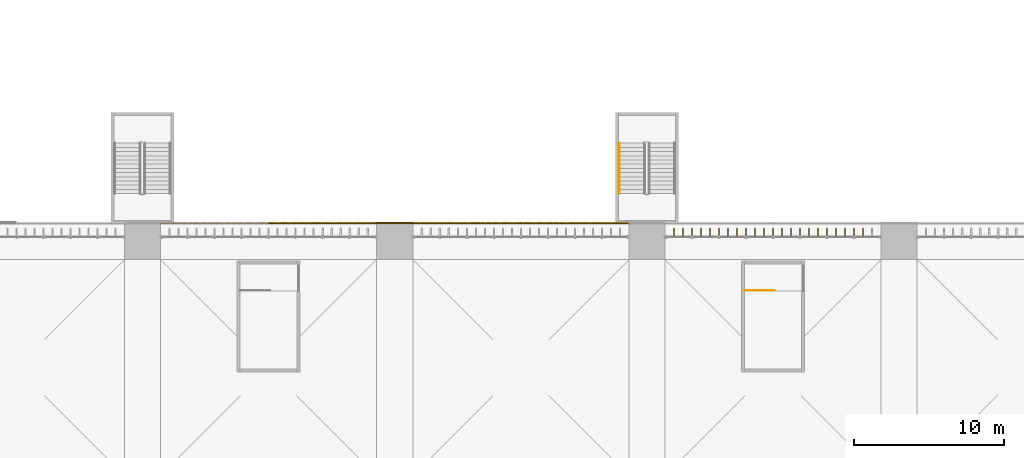
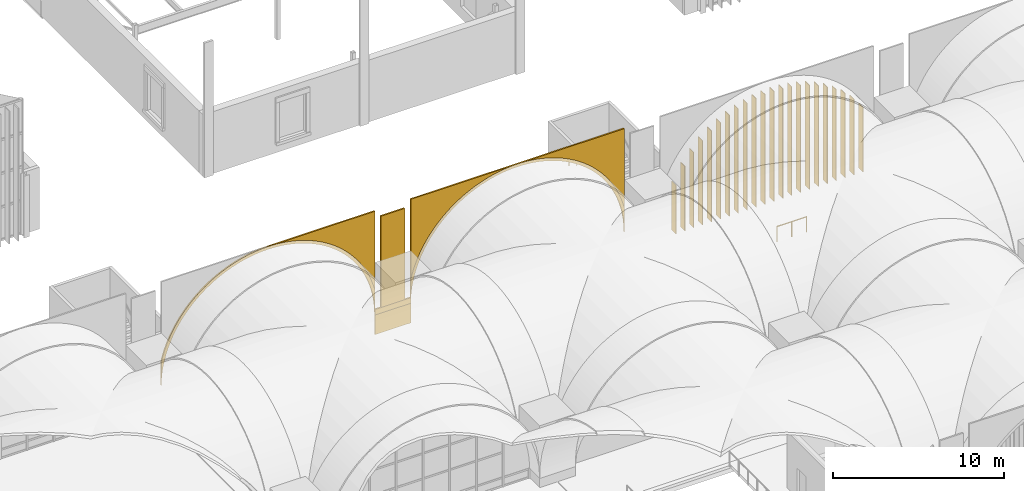
# One storey, part 158 of 169: 22 shading devices, 8 coverings, 2 railings.
"""IFC4 building model written with IfcOpenShell, lengths in metres."""

from ifc_helpers import new_model, si_unit, direction, frame, origin, origin_2d, place, context, subcontext, project, spatial, polyline, rectangle, circle, outline, extrude, material, layer, layer_set, type_object, element, save


model = new_model("IFC4")

# Units and contexts
model_context = context("Model", 3, precision=1e-05, world=origin(), true_north=direction((0.0, 1.0)))
body_context = subcontext(model_context, "Body", "Model", "MODEL_VIEW")
ifc_project = project(units=[si_unit("LENGTHUNIT", "METRE"), si_unit("AREAUNIT", "SQUARE_METRE"), si_unit("VOLUMEUNIT", "CUBIC_METRE"), si_unit("PLANEANGLEUNIT", "RADIAN"), si_unit("MASSUNIT", "GRAM", prefix="KILO")], contexts=[model_context])

# Site, building, storey
site_placement = place(None, origin())
site = spatial("IfcSite", under=ifc_project, at=site_placement, CompositionType="ELEMENT")
building_placement = place(site_placement, origin())
building = spatial("IfcBuilding", under=site, at=building_placement, Name="Verrick Yard Athletic Hall", CompositionType="ELEMENT")
storey_placement = place(building_placement, frame((0.0, 0.0, 4.39990234375)))
storey = spatial("IfcBuildingStorey", under=building, at=storey_placement, Name="L01", CompositionType="ELEMENT", Elevation=4.39990234375)

# Shading devices
ifc_material_1 = material(Name="Anodised aluminium", Category="aluminium")
ifc_layer_1 = layer(ifc_material_1, 0.0400390625)
ifc_layer_set_1 = layer_set([ifc_layer_1], Name="Arcade fin")
shading_device_type = type_object("IfcShadingDeviceType", Name="Arcade fin", PredefinedType="USERDEFINED", material=ifc_layer_set_1)
shading_device_1_placement = place(storey_placement, frame((109.0, 53.17626953125, 0.0), z_axis=(0.0, 0.0, 1.0), x_axis=(0.0, 1.0, 0.0)))
element("IfcShadingDevice", 1, at=shading_device_1_placement, inside=storey, type_object=shading_device_type, Name="Fin RN5.1", ObjectType="FIN", PredefinedType="USERDEFINED", context=body_context, shape_type="SweptSolid", body=[
    extrude(outline(polyline([(0.0, 0.0), (0.5, 0.0), (0.5, 3.4775390625), (0.0, 3.4775390625), (0.0, 0.0)])), frame((0.0, 0.02001953125, 0.0), z_axis=(0.0, -1.0, 0.0), x_axis=(1.0, 0.0, 0.0)), (0.0, 0.0, 1.0), 0.0400390625),
])
shading_device_2_placement = place(storey_placement, frame((109.60009765625, 53.17626953125, 0.0), z_axis=(0.0, 0.0, 1.0), x_axis=(0.0, 1.0, 0.0)))
element("IfcShadingDevice", 2, at=shading_device_2_placement, inside=storey, type_object=shading_device_type, Name="Fin RN5.2", ObjectType="FIN", PredefinedType="USERDEFINED", context=body_context, shape_type="SweptSolid", body=[
    extrude(outline(polyline([(0.0, 0.0), (0.5, 0.0), (0.5, 4.5966796875), (0.0, 4.5966796875), (0.0, 0.0)])), frame((0.0, 0.02001953125, 0.0), z_axis=(0.0, -1.0, 0.0), x_axis=(1.0, 0.0, 0.0)), (0.0, 0.0, 1.0), 0.0400390625),
])
shading_device_3_placement = place(storey_placement, frame((110.199951171875, 53.17626953125, 0.0), z_axis=(0.0, 0.0, 1.0), x_axis=(0.0, 1.0, 0.0)))
element("IfcShadingDevice", 3, at=shading_device_3_placement, inside=storey, type_object=shading_device_type, Name="Fin RN5.3", ObjectType="FIN", PredefinedType="USERDEFINED", context=body_context, shape_type="SweptSolid", body=[
    extrude(outline(polyline([(0.0, 0.0), (0.5, 0.0), (0.5, 5.38671875), (0.0, 5.38671875), (0.0, 0.0)])), frame((0.0, 0.02001953125, 0.0), z_axis=(0.0, -1.0, 0.0), x_axis=(1.0, 0.0, 0.0)), (0.0, 0.0, 1.0), 0.0400390625),
])
shading_device_4_placement = place(storey_placement, frame((110.800048828125, 53.17626953125, 0.0), z_axis=(0.0, 0.0, 1.0), x_axis=(0.0, 1.0, 0.0)))
element("IfcShadingDevice", 4, at=shading_device_4_placement, inside=storey, type_object=shading_device_type, Name="Fin RN5.4", ObjectType="FIN", PredefinedType="USERDEFINED", context=body_context, shape_type="SweptSolid", body=[
    extrude(outline(polyline([(0.0, 0.0), (0.5, 0.0), (0.5, 5.996826171875), (0.0, 5.996826171875), (0.0, 0.0)])), frame((0.0, 0.02001953125, 0.0), z_axis=(0.0, -1.0, 0.0), x_axis=(1.0, 0.0, 0.0)), (0.0, 0.0, 1.0), 0.0400390625),
])
shading_device_5_placement = place(storey_placement, frame((111.39990234375, 53.17626953125, 0.0), z_axis=(0.0, 0.0, 1.0), x_axis=(0.0, 1.0, 0.0)))
element("IfcShadingDevice", 5, at=shading_device_5_placement, inside=storey, type_object=shading_device_type, Name="Fin RN5.5", ObjectType="FIN", PredefinedType="USERDEFINED", context=body_context, shape_type="SweptSolid", body=[
    extrude(outline(polyline([(0.0, 0.0), (0.5, 0.0), (0.5, 6.481201171875), (0.0, 6.481201171875), (0.0, 0.0)])), frame((0.0, 0.02001953125, 0.0), z_axis=(0.0, -1.0, 0.0), x_axis=(1.0, 0.0, 0.0)), (0.0, 0.0, 1.0), 0.0400390625),
])
shading_device_6_placement = place(storey_placement, frame((112.0, 53.17626953125, 0.0), z_axis=(0.0, 0.0, 1.0), x_axis=(0.0, 1.0, 0.0)))
element("IfcShadingDevice", 6, at=shading_device_6_placement, inside=storey, type_object=shading_device_type, Name="Fin RN5.6", ObjectType="FIN", PredefinedType="USERDEFINED", context=body_context, shape_type="SweptSolid", body=[
    extrude(outline(polyline([(0.0, 0.0), (0.5, 0.0), (0.5, 6.872802734375), (0.0, 6.872802734375), (0.0, 0.0)])), frame((0.0, 0.02001953125, 0.0), z_axis=(0.0, -1.0, 0.0), x_axis=(1.0, 0.0, 0.0)), (0.0, 0.0, 1.0), 0.0400390625),
])
shading_device_7_placement = place(storey_placement, frame((112.60009765625, 53.17626953125, 0.0), z_axis=(0.0, 0.0, 1.0), x_axis=(0.0, 1.0, 0.0)))
element("IfcShadingDevice", 7, at=shading_device_7_placement, inside=storey, type_object=shading_device_type, Name="Fin RN5.7", ObjectType="FIN", PredefinedType="USERDEFINED", context=body_context, shape_type="SweptSolid", body=[
    extrude(outline(polyline([(0.0, 0.0), (0.5, 0.0), (0.5, 7.18505859375), (0.0, 7.18505859375), (0.0, 0.0)])), frame((0.0, 0.02001953125, 0.0), z_axis=(0.0, -1.0, 0.0), x_axis=(1.0, 0.0, 0.0)), (0.0, 0.0, 1.0), 0.0400390625),
])
shading_device_8_placement = place(storey_placement, frame((113.199951171875, 53.17626953125, 0.0), z_axis=(0.0, 0.0, 1.0), x_axis=(0.0, 1.0, 0.0)))
element("IfcShadingDevice", 8, at=shading_device_8_placement, inside=storey, type_object=shading_device_type, Name="Fin RN5.8", ObjectType="FIN", PredefinedType="USERDEFINED", context=body_context, shape_type="SweptSolid", body=[
    extrude(outline(polyline([(0.0, 0.0), (0.5, 0.0), (0.5, 7.4296875), (0.0, 7.4296875), (0.0, 0.0)])), frame((0.0, 0.02001953125, 0.0), z_axis=(0.0, -1.0, 0.0), x_axis=(1.0, 0.0, 0.0)), (0.0, 0.0, 1.0), 0.0400390625),
])
shading_device_9_placement = place(storey_placement, frame((113.800048828125, 53.17626953125, 0.0), z_axis=(0.0, 0.0, 1.0), x_axis=(0.0, 1.0, 0.0)))
element("IfcShadingDevice", 9, at=shading_device_9_placement, inside=storey, type_object=shading_device_type, Name="Fin RN5.9", ObjectType="FIN", PredefinedType="USERDEFINED", context=body_context, shape_type="SweptSolid", body=[
    extrude(outline(polyline([(0.0, 0.0), (0.5, 0.0), (0.5, 7.614990234375), (0.0, 7.614990234375), (0.0, 0.0)])), frame((0.0, 0.02001953125, 0.0), z_axis=(0.0, -1.0, 0.0), x_axis=(1.0, 0.0, 0.0)), (0.0, 0.0, 1.0), 0.0400390625),
])
shading_device_10_placement = place(storey_placement, frame((114.39990234375, 53.17626953125, 0.0), z_axis=(0.0, 0.0, 1.0), x_axis=(0.0, 1.0, 0.0)))
element("IfcShadingDevice", 10, at=shading_device_10_placement, inside=storey, type_object=shading_device_type, Name="Fin RN5.10", ObjectType="FIN", PredefinedType="USERDEFINED", context=body_context, shape_type="SweptSolid", body=[
    extrude(outline(polyline([(0.0, 0.0), (0.5, 0.0), (0.5, 7.744873046875), (0.0, 7.744873046875), (0.0, 0.0)])), frame((0.0, 0.02001953125, 0.0), z_axis=(0.0, -1.0, 0.0), x_axis=(1.0, 0.0, 0.0)), (0.0, 0.0, 1.0), 0.0400390625),
])
shading_device_11_placement = place(storey_placement, frame((115.0, 53.17626953125, 0.0), z_axis=(0.0, 0.0, 1.0), x_axis=(0.0, 1.0, 0.0)))
element("IfcShadingDevice", 11, at=shading_device_11_placement, inside=storey, type_object=shading_device_type, Name="Fin RN5.11", ObjectType="FIN", PredefinedType="USERDEFINED", context=body_context, shape_type="SweptSolid", body=[
    extrude(outline(polyline([(0.0, 0.0), (0.5, 0.0), (0.5, 7.82275390625), (0.0, 7.82275390625), (0.0, 0.0)])), frame((0.0, 0.02001953125, 0.0), z_axis=(0.0, -1.0, 0.0), x_axis=(1.0, 0.0, 0.0)), (0.0, 0.0, 1.0), 0.0400390625),
])
shading_device_12_placement = place(storey_placement, frame((115.60009765625, 53.17626953125, 0.0), z_axis=(0.0, 0.0, 1.0), x_axis=(0.0, 1.0, 0.0)))
element("IfcShadingDevice", 12, at=shading_device_12_placement, inside=storey, type_object=shading_device_type, Name="Fin RN5.12", ObjectType="FIN", PredefinedType="USERDEFINED", context=body_context, shape_type="SweptSolid", body=[
    extrude(outline(polyline([(0.0, 0.0), (0.5, 0.0), (0.5, 7.84912109375), (0.0, 7.84912109375), (0.0, 0.0)])), frame((0.0, 0.02001953125, 0.0), z_axis=(0.0, -1.0, 0.0), x_axis=(1.0, 0.0, 0.0)), (0.0, 0.0, 1.0), 0.0400390625),
])
shading_device_13_placement = place(storey_placement, frame((116.199951171875, 53.17626953125, 0.0), z_axis=(0.0, 0.0, 1.0), x_axis=(0.0, 1.0, 0.0)))
element("IfcShadingDevice", 13, at=shading_device_13_placement, inside=storey, type_object=shading_device_type, Name="Fin RN5.13", ObjectType="FIN", PredefinedType="USERDEFINED", context=body_context, shape_type="SweptSolid", body=[
    extrude(outline(polyline([(0.0, 0.0), (0.5, 0.0), (0.5, 7.82275390625), (0.0, 7.82275390625), (0.0, 0.0)])), frame((0.0, 0.02001953125, 0.0), z_axis=(0.0, -1.0, 0.0), x_axis=(1.0, 0.0, 0.0)), (0.0, 0.0, 1.0), 0.0400390625),
])
shading_device_14_placement = place(storey_placement, frame((116.800048828125, 53.17626953125, 0.0), z_axis=(0.0, 0.0, 1.0), x_axis=(0.0, 1.0, 0.0)))
element("IfcShadingDevice", 14, at=shading_device_14_placement, inside=storey, type_object=shading_device_type, Name="Fin RN5.14", ObjectType="FIN", PredefinedType="USERDEFINED", context=body_context, shape_type="SweptSolid", body=[
    extrude(outline(polyline([(0.0, 0.0), (0.5, 0.0), (0.5, 7.744873046875), (0.0, 7.744873046875), (0.0, 0.0)])), frame((0.0, 0.02001953125, 0.0), z_axis=(0.0, -1.0, 0.0), x_axis=(1.0, 0.0, 0.0)), (0.0, 0.0, 1.0), 0.0400390625),
])
shading_device_15_placement = place(storey_placement, frame((117.39990234375, 53.17626953125, 0.0), z_axis=(0.0, 0.0, 1.0), x_axis=(0.0, 1.0, 0.0)))
element("IfcShadingDevice", 15, at=shading_device_15_placement, inside=storey, type_object=shading_device_type, Name="Fin RN5.15", ObjectType="FIN", PredefinedType="USERDEFINED", context=body_context, shape_type="SweptSolid", body=[
    extrude(outline(polyline([(0.0, 0.0), (0.5, 0.0), (0.5, 7.614990234375), (0.0, 7.614990234375), (0.0, 0.0)])), frame((0.0, 0.02001953125, 0.0), z_axis=(0.0, -1.0, 0.0), x_axis=(1.0, 0.0, 0.0)), (0.0, 0.0, 1.0), 0.0400390625),
])
shading_device_16_placement = place(storey_placement, frame((118.0, 53.17626953125, 0.0), z_axis=(0.0, 0.0, 1.0), x_axis=(0.0, 1.0, 0.0)))
element("IfcShadingDevice", 16, at=shading_device_16_placement, inside=storey, type_object=shading_device_type, Name="Fin RN5.16", ObjectType="FIN", PredefinedType="USERDEFINED", context=body_context, shape_type="SweptSolid", body=[
    extrude(outline(polyline([(0.0, 0.0), (0.5, 0.0), (0.5, 7.4296875), (0.0, 7.4296875), (0.0, 0.0)])), frame((0.0, 0.02001953125, 0.0), z_axis=(0.0, -1.0, 0.0), x_axis=(1.0, 0.0, 0.0)), (0.0, 0.0, 1.0), 0.0400390625),
])
shading_device_17_placement = place(storey_placement, frame((118.60009765625, 53.17626953125, 0.0), z_axis=(0.0, 0.0, 1.0), x_axis=(0.0, 1.0, 0.0)))
element("IfcShadingDevice", 17, at=shading_device_17_placement, inside=storey, type_object=shading_device_type, Name="Fin RN5.17", ObjectType="FIN", PredefinedType="USERDEFINED", context=body_context, shape_type="SweptSolid", body=[
    extrude(outline(polyline([(0.0, 0.0), (0.5, 0.0), (0.5, 7.18505859375), (0.0, 7.18505859375), (0.0, 0.0)])), frame((0.0, 0.02001953125, 0.0), z_axis=(0.0, -1.0, 0.0), x_axis=(1.0, 0.0, 0.0)), (0.0, 0.0, 1.0), 0.0400390625),
])
shading_device_18_placement = place(storey_placement, frame((119.199951171875, 53.17626953125, 0.0), z_axis=(0.0, 0.0, 1.0), x_axis=(0.0, 1.0, 0.0)))
element("IfcShadingDevice", 18, at=shading_device_18_placement, inside=storey, type_object=shading_device_type, Name="Fin RN5.18", ObjectType="FIN", PredefinedType="USERDEFINED", context=body_context, shape_type="SweptSolid", body=[
    extrude(outline(polyline([(0.0, 0.0), (0.5, 0.0), (0.5, 6.872802734375), (0.0, 6.872802734375), (0.0, 0.0)])), frame((0.0, 0.02001953125, 0.0), z_axis=(0.0, -1.0, 0.0), x_axis=(1.0, 0.0, 0.0)), (0.0, 0.0, 1.0), 0.0400390625),
])
shading_device_19_placement = place(storey_placement, frame((119.800048828125, 53.17626953125, 0.0), z_axis=(0.0, 0.0, 1.0), x_axis=(0.0, 1.0, 0.0)))
element("IfcShadingDevice", 19, at=shading_device_19_placement, inside=storey, type_object=shading_device_type, Name="Fin RN5.19", ObjectType="FIN", PredefinedType="USERDEFINED", context=body_context, shape_type="SweptSolid", body=[
    extrude(outline(polyline([(0.0, 0.0), (0.5, 0.0), (0.5, 6.481201171875), (0.0, 6.481201171875), (0.0, 0.0)])), frame((0.0, 0.02001953125, 0.0), z_axis=(0.0, -1.0, 0.0), x_axis=(1.0, 0.0, 0.0)), (0.0, 0.0, 1.0), 0.0400390625),
])
shading_device_20_placement = place(storey_placement, frame((120.39990234375, 53.17626953125, 0.0), z_axis=(0.0, 0.0, 1.0), x_axis=(0.0, 1.0, 0.0)))
element("IfcShadingDevice", 20, at=shading_device_20_placement, inside=storey, type_object=shading_device_type, Name="Fin RN5.20", ObjectType="FIN", PredefinedType="USERDEFINED", context=body_context, shape_type="SweptSolid", body=[
    extrude(outline(polyline([(0.0, 0.0), (0.5, 0.0), (0.5, 5.996826171875), (0.0, 5.996826171875), (0.0, 0.0)])), frame((0.0, 0.02001953125, 0.0), z_axis=(0.0, -1.0, 0.0), x_axis=(1.0, 0.0, 0.0)), (0.0, 0.0, 1.0), 0.0400390625),
])
shading_device_21_placement = place(storey_placement, frame((121.0, 53.17626953125, 0.0), z_axis=(0.0, 0.0, 1.0), x_axis=(0.0, 1.0, 0.0)))
element("IfcShadingDevice", 21, at=shading_device_21_placement, inside=storey, type_object=shading_device_type, Name="Fin RN5.21", ObjectType="FIN", PredefinedType="USERDEFINED", context=body_context, shape_type="SweptSolid", body=[
    extrude(outline(polyline([(0.0, 0.0), (0.5, 0.0), (0.5, 5.38671875), (0.0, 5.38671875), (0.0, 0.0)])), frame((0.0, 0.02001953125, 0.0), z_axis=(0.0, -1.0, 0.0), x_axis=(1.0, 0.0, 0.0)), (0.0, 0.0, 1.0), 0.0400390625),
])
shading_device_22_placement = place(storey_placement, frame((121.60009765625, 53.17626953125, 0.0), z_axis=(0.0, 0.0, 1.0), x_axis=(0.0, 1.0, 0.0)))
element("IfcShadingDevice", 22, at=shading_device_22_placement, inside=storey, type_object=shading_device_type, Name="Fin RN5.22", ObjectType="FIN", PredefinedType="USERDEFINED", context=body_context, shape_type="SweptSolid", body=[
    extrude(outline(polyline([(0.0, 0.0), (0.5, 0.0), (0.5, 4.5966796875), (0.0, 4.5966796875), (0.0, 0.0)])), frame((0.0, 0.02001953125, 0.0), z_axis=(0.0, -1.0, 0.0), x_axis=(1.0, 0.0, 0.0)), (0.0, 0.0, 1.0), 0.0400390625),
])

# Coverings
ifc_material_2 = material(Name="Limestone cladding", Category="masonry")
ifc_layer_2 = layer(ifc_material_2, 0.10009765625)
ifc_layer_set_2 = layer_set([ifc_layer_2], Name="Arch ring cladding")
covering_type_1 = type_object("IfcCoveringType", Name="Arch ring cladding", PredefinedType="CLADDING", material=ifc_layer_set_2)
covering_1_placement = place(storey_placement, frame((74.800048828125, 54.050048828125, 0.650146484375), z_axis=(0.0, 0.0, 1.0), x_axis=(1.0, 0.0, 0.0)))
element("IfcCovering", 23, at=covering_1_placement, inside=storey, type_object=covering_type_1, Name="Arch ring RN3", PredefinedType="CLADDING", context=body_context, shape_type="SweptSolid", body=[
    extrude(outline(polyline([(0.0, 1.7021484375), (0.0, 0.0), (0.0068359375, 0.31396484375), (0.02734375, 0.62744140625), (0.0615234375, 0.939697265625), (0.109375, 1.250244140625), (0.170654296875, 1.558349609375), (0.245361328125, 1.863525390625), (0.333251953125, 2.1650390625), (0.43408203125, 2.46240234375), (0.548095703125, 2.75537109375), (0.674560546875, 3.04296875), (0.8134765625, 3.324462890625), (0.964599609375, 3.599853515625), (1.127685546875, 3.86865234375), (1.302001953125, 4.129638671875), (1.48779296875, 4.383056640625), (1.6845703125, 4.6279296875), (1.8916015625, 4.8642578125), (2.10888671875, 5.091064453125), (2.335693359375, 5.308349609375), (2.572021484375, 5.515380859375), (2.81689453125, 5.712158203125), (3.0703125, 5.89794921875), (3.331298828125, 6.072265625), (3.60009765625, 6.2353515625), (3.87548828125, 6.386474609375), (4.156982421875, 6.525390625), (4.444580078125, 6.65185546875), (4.737548828125, 6.765869140625), (5.034912109375, 6.86669921875), (5.33642578125, 6.95458984375), (5.6416015625, 7.029296875), (5.94970703125, 7.090576171875), (6.26025390625, 7.138427734375), (6.572509765625, 7.172607421875), (6.885986328125, 7.193115234375), (7.199951171875, 7.199951171875), (7.51416015625, 7.193115234375), (7.827392578125, 7.172607421875), (8.139892578125, 7.138427734375), (8.4501953125, 7.090576171875), (8.75830078125, 7.029296875), (9.0634765625, 6.95458984375), (9.364990234375, 6.86669921875), (9.66259765625, 6.765869140625), (9.955322265625, 6.65185546875), (10.242919921875, 6.525390625), (10.524658203125, 6.386474609375), (10.800048828125, 6.2353515625), (11.068603515625, 6.072265625), (11.329833984375, 5.89794921875), (11.5830078125, 5.712158203125), (11.828125, 5.515380859375), (12.064208984375, 5.308349609375), (12.291259765625, 5.091064453125), (12.50830078125, 4.8642578125), (12.715576171875, 4.6279296875), (12.912109375, 4.383056640625), (13.097900390625, 4.129638671875), (13.2724609375, 3.86865234375), (13.435302734375, 3.599853515625), (13.58642578125, 3.324462890625), (13.725341796875, 3.04296875), (13.851806640625, 2.75537109375), (13.9658203125, 2.46240234375), (14.06689453125, 2.1650390625), (14.15478515625, 1.863525390625), (14.229248046875, 1.558349609375), (14.29052734375, 1.250244140625), (14.33837890625, 0.939697265625), (14.37255859375, 0.62744140625), (14.39306640625, 0.31396484375), (14.39990234375, 0.0), (14.39990234375, 1.7021484375), (14.347900390625, 1.915283203125), (14.257568359375, 2.22509765625), (14.15380859375, 2.53076171875), (14.03662109375, 2.831787109375), (13.90673828125, 3.12744140625), (13.763916015625, 3.416748046875), (13.608642578125, 3.699951171875), (13.441162109375, 3.975830078125), (13.26171875, 4.244384765625), (13.07080078125, 4.504638671875), (12.86865234375, 4.756591796875), (12.656005859375, 4.999267578125), (12.4326171875, 5.232666015625), (12.199462890625, 5.455810546875), (11.95654296875, 5.668701171875), (11.704833984375, 5.870849609375), (11.444580078125, 6.061767578125), (11.176025390625, 6.240966796875), (10.89990234375, 6.408447265625), (10.616943359375, 6.56396484375), (10.327392578125, 6.70654296875), (10.031982421875, 6.836669921875), (9.73095703125, 6.95361328125), (9.42529296875, 7.057373046875), (9.115234375, 7.14794921875), (8.8017578125, 7.224609375), (8.485107421875, 7.28759765625), (8.166015625, 7.336669921875), (7.844970703125, 7.371826171875), (7.522705078125, 7.39306640625), (7.199951171875, 7.39990234375), (6.877197265625, 7.39306640625), (6.554931640625, 7.371826171875), (6.234130859375, 7.336669921875), (5.9150390625, 7.28759765625), (5.598388671875, 7.224609375), (5.28466796875, 7.14794921875), (4.974853515625, 7.057373046875), (4.669189453125, 6.95361328125), (4.3681640625, 6.836669921875), (4.072509765625, 6.70654296875), (3.783203125, 6.56396484375), (3.5, 6.408447265625), (3.22412109375, 6.240966796875), (2.95556640625, 6.061767578125), (2.6953125, 5.870849609375), (2.443359375, 5.668701171875), (2.20068359375, 5.455810546875), (1.96728515625, 5.232666015625), (1.744140625, 4.999267578125), (1.53125, 4.756591796875), (1.3291015625, 4.504638671875), (1.13818359375, 4.244384765625), (0.958984375, 3.975830078125), (0.79150390625, 3.699951171875), (0.635986328125, 3.416748046875), (0.493408203125, 3.12744140625), (0.36328125, 2.831787109375), (0.246337890625, 2.53076171875), (0.142578125, 2.22509765625), (0.052001953125, 1.915283203125), (0.0, 1.7021484375)])), frame((0.0, 0.050048828125, 0.0), z_axis=(0.0, -1.0, 0.0), x_axis=(1.0, 0.0, 0.0)), (0.0, 0.0, 1.0), 0.10009765625),
])
covering_2_placement = place(storey_placement, frame((91.60009765625, 54.050048828125, 0.650146484375), z_axis=(0.0, 0.0, 1.0), x_axis=(1.0, 0.0, 0.0)))
element("IfcCovering", 24, at=covering_2_placement, inside=storey, type_object=covering_type_1, Name="Arch ring RN4", PredefinedType="CLADDING", context=body_context, shape_type="SweptSolid", body=[
    extrude(outline(polyline([(0.0, 1.7021484375), (0.0, 0.0), (0.0068359375, 0.31396484375), (0.02734375, 0.62744140625), (0.0615234375, 0.939697265625), (0.109375, 1.250244140625), (0.170654296875, 1.558349609375), (0.245361328125, 1.863525390625), (0.333251953125, 2.1650390625), (0.43408203125, 2.46240234375), (0.548095703125, 2.75537109375), (0.674560546875, 3.04296875), (0.8134765625, 3.324462890625), (0.964599609375, 3.599853515625), (1.127685546875, 3.86865234375), (1.302001953125, 4.129638671875), (1.48779296875, 4.383056640625), (1.6845703125, 4.6279296875), (1.8916015625, 4.8642578125), (2.10888671875, 5.091064453125), (2.335693359375, 5.308349609375), (2.572021484375, 5.515380859375), (2.81689453125, 5.712158203125), (3.0703125, 5.89794921875), (3.331298828125, 6.072265625), (3.60009765625, 6.2353515625), (3.87548828125, 6.386474609375), (4.156982421875, 6.525390625), (4.444580078125, 6.65185546875), (4.737548828125, 6.765869140625), (5.034912109375, 6.86669921875), (5.33642578125, 6.95458984375), (5.6416015625, 7.029296875), (5.94970703125, 7.090576171875), (6.26025390625, 7.138427734375), (6.572509765625, 7.172607421875), (6.885986328125, 7.193115234375), (7.199951171875, 7.199951171875), (7.51416015625, 7.193115234375), (7.827392578125, 7.172607421875), (8.139892578125, 7.138427734375), (8.4501953125, 7.090576171875), (8.75830078125, 7.029296875), (9.0634765625, 6.95458984375), (9.364990234375, 6.86669921875), (9.66259765625, 6.765869140625), (9.955322265625, 6.65185546875), (10.242919921875, 6.525390625), (10.524658203125, 6.386474609375), (10.800048828125, 6.2353515625), (11.068603515625, 6.072265625), (11.329833984375, 5.89794921875), (11.5830078125, 5.712158203125), (11.828125, 5.515380859375), (12.064208984375, 5.308349609375), (12.291259765625, 5.091064453125), (12.50830078125, 4.8642578125), (12.715576171875, 4.6279296875), (12.912109375, 4.383056640625), (13.097900390625, 4.129638671875), (13.2724609375, 3.86865234375), (13.435302734375, 3.599853515625), (13.58642578125, 3.324462890625), (13.725341796875, 3.04296875), (13.851806640625, 2.75537109375), (13.9658203125, 2.46240234375), (14.06689453125, 2.1650390625), (14.15478515625, 1.863525390625), (14.229248046875, 1.558349609375), (14.29052734375, 1.250244140625), (14.33837890625, 0.939697265625), (14.37255859375, 0.62744140625), (14.39306640625, 0.31396484375), (14.39990234375, 0.0), (14.39990234375, 1.7021484375), (14.347900390625, 1.915283203125), (14.257568359375, 2.22509765625), (14.15380859375, 2.53076171875), (14.03662109375, 2.831787109375), (13.90673828125, 3.12744140625), (13.763916015625, 3.416748046875), (13.608642578125, 3.699951171875), (13.441162109375, 3.975830078125), (13.26171875, 4.244384765625), (13.07080078125, 4.504638671875), (12.86865234375, 4.756591796875), (12.656005859375, 4.999267578125), (12.4326171875, 5.232666015625), (12.199462890625, 5.455810546875), (11.95654296875, 5.668701171875), (11.704833984375, 5.870849609375), (11.444580078125, 6.061767578125), (11.176025390625, 6.240966796875), (10.89990234375, 6.408447265625), (10.616943359375, 6.56396484375), (10.327392578125, 6.70654296875), (10.031982421875, 6.836669921875), (9.73095703125, 6.95361328125), (9.42529296875, 7.057373046875), (9.115234375, 7.14794921875), (8.8017578125, 7.224609375), (8.485107421875, 7.28759765625), (8.166015625, 7.336669921875), (7.844970703125, 7.371826171875), (7.522705078125, 7.39306640625), (7.199951171875, 7.39990234375), (6.877197265625, 7.39306640625), (6.554931640625, 7.371826171875), (6.234130859375, 7.336669921875), (5.9150390625, 7.28759765625), (5.598388671875, 7.224609375), (5.28466796875, 7.14794921875), (4.974853515625, 7.057373046875), (4.669189453125, 6.95361328125), (4.3681640625, 6.836669921875), (4.072509765625, 6.70654296875), (3.783203125, 6.56396484375), (3.5, 6.408447265625), (3.22412109375, 6.240966796875), (2.95556640625, 6.061767578125), (2.6953125, 5.870849609375), (2.443359375, 5.668701171875), (2.20068359375, 5.455810546875), (1.96728515625, 5.232666015625), (1.744140625, 4.999267578125), (1.53125, 4.756591796875), (1.3291015625, 4.504638671875), (1.13818359375, 4.244384765625), (0.958984375, 3.975830078125), (0.79150390625, 3.699951171875), (0.635986328125, 3.416748046875), (0.493408203125, 3.12744140625), (0.36328125, 2.831787109375), (0.246337890625, 2.53076171875), (0.142578125, 2.22509765625), (0.052001953125, 1.915283203125), (0.0, 1.7021484375)])), frame((0.0, 0.050048828125, 0.0), z_axis=(0.0, -1.0, 0.0), x_axis=(1.0, 0.0, 0.0)), (0.0, 0.0, 1.0), 0.10009765625),
])
ifc_layer_3 = layer(ifc_material_2, 0.10009765625)
ifc_layer_set_3 = layer_set([ifc_layer_3], Name="Impost and capital moulding")
covering_type_2 = type_object("IfcCoveringType", Name="Impost and capital moulding", PredefinedType="MOLDING", material=ifc_layer_set_3)
covering_3_placement = place(storey_placement, frame((90.39990234375, 54.050048828125, 0.650146484375), z_axis=(0.0, 0.0, 1.0), x_axis=(1.0, 0.0, 0.0)))
element("IfcCovering", 25, at=covering_3_placement, inside=storey, type_object=covering_type_2, Name="Impost N4", PredefinedType="MOLDING", context=body_context, shape_type="SweptSolid", body=[
    extrude(rectangle(XDim=2.39990234375, YDim=0.10009765625, at=origin_2d()), origin(), (0.0, 0.0, 1.0), 0.39990234375),
])
ifc_material_3 = material(Name="Rusticated limestone cladding", Category="masonry")
ifc_layer_4 = layer(ifc_material_3, 0.10009765625)
ifc_layer_set_4 = layer_set([ifc_layer_4], Name="Pier base cladding")
covering_type_3 = type_object("IfcCoveringType", Name="Pier base cladding", PredefinedType="CLADDING", material=ifc_layer_set_4)
covering_4_placement = place(storey_placement, frame((90.39990234375, 54.050048828125, -0.749755859375), z_axis=(0.0, 0.0, 1.0), x_axis=(1.0, 0.0, 0.0)))
element("IfcCovering", 26, at=covering_4_placement, inside=storey, type_object=covering_type_3, Name="Pier string N4", PredefinedType="CLADDING", context=body_context, shape_type="SweptSolid", body=[
    extrude(rectangle(XDim=2.39990234375, YDim=0.10009765625, at=origin_2d()), origin(), (0.0, 0.0, 1.0), 1.39990234375),
])
ifc_layer_5 = layer(ifc_material_2, 0.10009765625)
ifc_layer_set_5 = layer_set([ifc_layer_5], Name="Pilaster cladding")
covering_type_4 = type_object("IfcCoveringType", Name="Pilaster cladding", PredefinedType="CLADDING", material=ifc_layer_set_5)
covering_5_placement = place(storey_placement, frame((90.39990234375, 54.050048828125, 1.050048828125), z_axis=(0.0, 0.0, 1.0), x_axis=(1.0, 0.0, 0.0)))
element("IfcCovering", 27, at=covering_5_placement, inside=storey, type_object=covering_type_4, Name="Pilaster N4", PredefinedType="CLADDING", context=body_context, shape_type="SweptSolid", body=[
    extrude(rectangle(XDim=1.60009765625, YDim=0.10009765625, at=origin_2d()), origin(), (0.0, 0.0, 1.0), 6.5),
])
ifc_layer_6 = layer(ifc_material_2, 0.10009765625)
ifc_layer_set_6 = layer_set([ifc_layer_6], Name="Spandrel cladding")
covering_type_5 = type_object("IfcCoveringType", Name="Spandrel cladding", PredefinedType="CLADDING", material=ifc_layer_set_6)
covering_6_placement = place(storey_placement, frame((74.800048828125, 54.050048828125, 2.352294921875), z_axis=(0.0, 0.0, 1.0), x_axis=(1.0, 0.0, 0.0)))
element("IfcCovering", 28, at=covering_6_placement, inside=storey, type_object=covering_type_5, Name="Spandrel RN3.2", PredefinedType="CLADDING", context=body_context, shape_type="SweptSolid", body=[
    extrude(outline(polyline([(7.199951171875, 5.69775390625), (7.522705078125, 5.69091796875), (7.844970703125, 5.669677734375), (8.166015625, 5.634521484375), (8.485107421875, 5.58544921875), (8.8017578125, 5.5224609375), (9.115234375, 5.44580078125), (9.42529296875, 5.355224609375), (9.73095703125, 5.25146484375), (10.031982421875, 5.134521484375), (10.327392578125, 5.00439453125), (10.616943359375, 4.86181640625), (10.89990234375, 4.706298828125), (11.176025390625, 4.538818359375), (11.444580078125, 4.359619140625), (11.704833984375, 4.168701171875), (11.95654296875, 3.966552734375), (12.199462890625, 3.753662109375), (12.4326171875, 3.530517578125), (12.656005859375, 3.297119140625), (12.86865234375, 3.054443359375), (13.07080078125, 2.802490234375), (13.26171875, 2.542236328125), (13.441162109375, 2.273681640625), (13.608642578125, 1.997802734375), (13.763916015625, 1.714599609375), (13.90673828125, 1.42529296875), (14.03662109375, 1.129638671875), (14.15380859375, 0.82861328125), (14.257568359375, 0.52294921875), (14.347900390625, 0.213134765625), (14.39990234375, 0.0), (14.39990234375, 5.69775390625), (7.199951171875, 5.69775390625)])), frame((0.0, 0.050048828125, 0.0), z_axis=(0.0, -1.0, 0.0), x_axis=(1.0, 0.0, 0.0)), (0.0, 0.0, 1.0), 0.10009765625),
])
covering_7_placement = place(storey_placement, frame((91.60009765625, 54.050048828125, 2.352294921875), z_axis=(0.0, 0.0, 1.0), x_axis=(1.0, 0.0, 0.0)))
element("IfcCovering", 29, at=covering_7_placement, inside=storey, type_object=covering_type_5, Name="Spandrel RN4.1", PredefinedType="CLADDING", context=body_context, shape_type="SweptSolid", body=[
    extrude(outline(polyline([(0.0, 0.0), (0.052001953125, 0.213134765625), (0.142578125, 0.52294921875), (0.246337890625, 0.82861328125), (0.36328125, 1.129638671875), (0.493408203125, 1.42529296875), (0.635986328125, 1.714599609375), (0.79150390625, 1.997802734375), (0.958984375, 2.273681640625), (1.13818359375, 2.542236328125), (1.3291015625, 2.802490234375), (1.53125, 3.054443359375), (1.744140625, 3.297119140625), (1.96728515625, 3.530517578125), (2.20068359375, 3.753662109375), (2.443359375, 3.966552734375), (2.6953125, 4.168701171875), (2.95556640625, 4.359619140625), (3.22412109375, 4.538818359375), (3.5, 4.706298828125), (3.783203125, 4.86181640625), (4.072509765625, 5.00439453125), (4.3681640625, 5.134521484375), (4.669189453125, 5.25146484375), (4.974853515625, 5.355224609375), (5.28466796875, 5.44580078125), (5.598388671875, 5.5224609375), (5.9150390625, 5.58544921875), (6.234130859375, 5.634521484375), (6.554931640625, 5.669677734375), (6.877197265625, 5.69091796875), (7.199951171875, 5.69775390625), (0.0, 5.69775390625), (0.0, 0.0)])), frame((0.0, 0.050048828125, 0.0), z_axis=(0.0, -1.0, 0.0), x_axis=(1.0, 0.0, 0.0)), (0.0, 0.0, 1.0), 0.10009765625),
])
covering_8_placement = place(storey_placement, frame((91.60009765625, 54.050048828125, 2.352294921875), z_axis=(0.0, 0.0, 1.0), x_axis=(1.0, 0.0, 0.0)))
element("IfcCovering", 30, at=covering_8_placement, inside=storey, type_object=covering_type_5, Name="Spandrel RN4.2", PredefinedType="CLADDING", context=body_context, shape_type="SweptSolid", body=[
    extrude(outline(polyline([(7.199951171875, 5.69775390625), (7.522705078125, 5.69091796875), (7.844970703125, 5.669677734375), (8.166015625, 5.634521484375), (8.485107421875, 5.58544921875), (8.8017578125, 5.5224609375), (9.115234375, 5.44580078125), (9.42529296875, 5.355224609375), (9.73095703125, 5.25146484375), (10.031982421875, 5.134521484375), (10.327392578125, 5.00439453125), (10.616943359375, 4.86181640625), (10.89990234375, 4.706298828125), (11.176025390625, 4.538818359375), (11.444580078125, 4.359619140625), (11.704833984375, 4.168701171875), (11.95654296875, 3.966552734375), (12.199462890625, 3.753662109375), (12.4326171875, 3.530517578125), (12.656005859375, 3.297119140625), (12.86865234375, 3.054443359375), (13.07080078125, 2.802490234375), (13.26171875, 2.542236328125), (13.441162109375, 2.273681640625), (13.608642578125, 1.997802734375), (13.763916015625, 1.714599609375), (13.90673828125, 1.42529296875), (14.03662109375, 1.129638671875), (14.15380859375, 0.82861328125), (14.257568359375, 0.52294921875), (14.347900390625, 0.213134765625), (14.39990234375, 0.0), (14.39990234375, 5.69775390625), (7.199951171875, 5.69775390625)])), frame((0.0, 0.050048828125, 0.0), z_axis=(0.0, -1.0, 0.0), x_axis=(1.0, 0.0, 0.0)), (0.0, 0.0, 1.0), 0.10009765625),
])

# Railings
ifc_material_4 = material(Name="Stainless steel", Category="steel")
railing_type_1 = type_object("IfcRailingType", Name="Stair and core guard 1100", PredefinedType="GUARDRAIL", material=ifc_material_4)
railing_1_placement = place(storey_placement, frame((113.699951171875, 49.550048828125, 0.0)))
element("IfcRailing", 31, at=railing_1_placement, inside=storey, type_object=railing_type_1, Name="L01 North plinth exit 3 top well guard 1", PredefinedType="GUARDRAIL", context=body_context, shape_type="SweptSolid", body=[
    extrude(circle(Radius=0.02392578125, at=origin_2d()), frame((0.0, 0.0, 1.076171875), z_axis=(1.0, 0.0, 0.0), x_axis=(0.0, 1.0, 0.0)), (0.0, 0.0, 1.0), 2.0),
    extrude(circle(Radius=0.02099609375, at=origin_2d()), origin(), (0.0, 0.0, 1.0), 1.052001953125),
    extrude(circle(Radius=0.02099609375, at=origin_2d()), frame((1.0, 0.0, 0.0)), (0.0, 0.0, 1.0), 1.052001953125),
    extrude(circle(Radius=0.02099609375, at=origin_2d()), frame((2.0, 0.0, 0.0)), (0.0, 0.0, 1.0), 1.052001953125),
])
railing_type_2 = type_object("IfcRailingType", Name="Stair handrail 900", PredefinedType="HANDRAIL", material=ifc_material_4)
railing_2_placement = place(storey_placement, frame((105.35009765625, 59.360107421875, 2.369384765625)))
element("IfcRailing", 32, at=railing_2_placement, inside=storey, type_object=railing_type_2, Name="L01 North deck escape 2 stair handrail 2", PredefinedType="HANDRAIL", context=body_context, shape_type="SweptSolid", body=[
    extrude(circle(Radius=0.02392578125, at=origin_2d()), frame((0.0, 0.0, 0.8759765625), z_axis=(0.0, -0.855836976705, 0.517245656632), x_axis=(1.0, 0.0, 0.0)), (0.0, 0.0, 1.0), 3.926025390625),
    extrude(circle(Radius=0.02099609375, at=origin_2d()), origin(), (0.0, 0.0, 1.0), 0.851806640625),
    extrude(circle(Radius=0.02099609375, at=origin_2d()), frame((0.0, -0.840087890625, 0.5078125)), (0.0, 0.0, 1.0), 0.851806640625),
    extrude(circle(Radius=0.02099609375, at=origin_2d()), frame((0.0, -1.68017578125, 1.015380859375)), (0.0, 0.0, 1.0), 0.851806640625),
    extrude(circle(Radius=0.02099609375, at=origin_2d()), frame((0.0, -2.52001953125, 1.52294921875)), (0.0, 0.0, 1.0), 0.851806640625),
    extrude(circle(Radius=0.02099609375, at=origin_2d()), frame((0.0, -3.360107421875, 2.03076171875)), (0.0, 0.0, 1.0), 0.851806640625),
])

save(model, "model.ifc")
